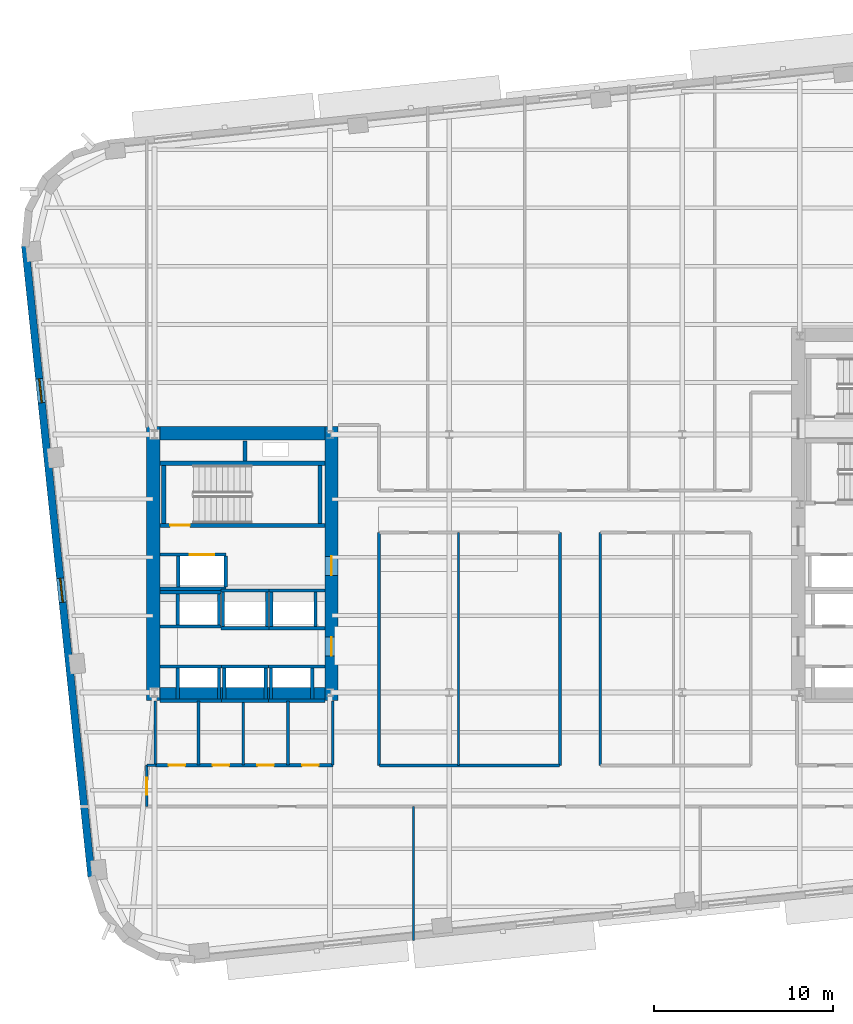
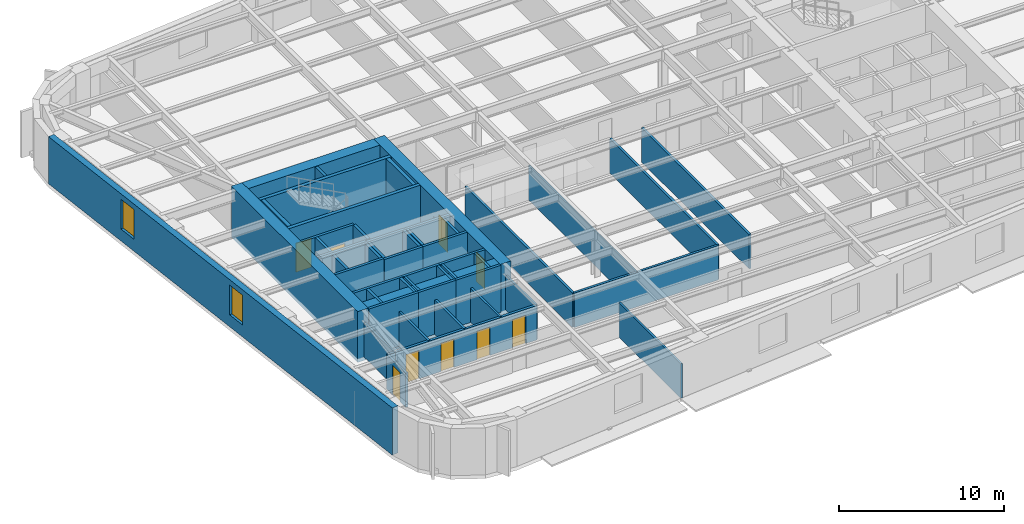
# One storey, part 4 of 15: 52 walls, 9 doors, 2 windows, 11 openings.
"""IFC4 building model written with IfcOpenShell, lengths in metres."""

from ifc_helpers import new_model, si_unit, direction, frame, frame_2d, origin, place, context, subcontext, project, spatial, rectangle, extrude, material, layer, layer_set, type_object, element, fill, save


model = new_model("IFC4")

# Units and contexts
model_context = context("Model", 3, precision=1e-05, world=origin(), true_north=direction((0.0, 1.0)))
body_context = subcontext(model_context, "Body", "Model", "MODEL_VIEW")
ifc_project = project(units=[si_unit("LENGTHUNIT", "METRE"), si_unit("AREAUNIT", "SQUARE_METRE"), si_unit("VOLUMEUNIT", "CUBIC_METRE"), si_unit("PLANEANGLEUNIT", "RADIAN"), si_unit("MASSUNIT", "GRAM", prefix="KILO")], contexts=[model_context])

# Site, building, storey
site_placement = place(None, origin())
site = spatial("IfcSite", under=ifc_project, at=site_placement, CompositionType="ELEMENT")
building_placement = place(site_placement, origin())
building = spatial("IfcBuilding", under=site, at=building_placement, Name="Kolvaren Arena Tower", CompositionType="ELEMENT")
storey_placement = place(building_placement, frame((0.0, 0.0, 107.199951171875)))
storey = spatial("IfcBuildingStorey", under=building, at=storey_placement, Name="L24", CompositionType="ELEMENT", Elevation=107.199951171875)

# Walls
ifc_material_1 = material(Name="Gypsum board acoustic assembly", Category="gypsum")
ifc_layer_1 = layer(ifc_material_1, 0.159912109375)
ifc_layer_set_1 = layer_set([ifc_layer_1], Name="Gypsum board acoustic assembly")
wall_type_1 = type_object("IfcWallType", Name="CORR-160", PredefinedType="PARTITIONING", material=ifc_layer_set_1)
wall_1_placement = place(storey_placement, frame((27.10009765625, 15.3798828125, 0.0), z_axis=(0.0, 0.0, 1.0), x_axis=(1.0, 0.0, 0.0)))
element("IfcWall", 1, at=wall_1_placement, inside=storey, type_object=wall_type_1, Name="Interior Partition Wall (L24)", PredefinedType="PARTITIONING", context=body_context, shape_type="SweptSolid", body=[
    extrude(rectangle(XDim=10.059814453125, YDim=0.159912109375, at=frame_2d((5.02978515625, 0.0))), origin(), (0.0, 0.0, 1.0), 2.5400390625),
])
for number, where, z_axis, x_axis, name in (
    (2, (37.179931640625, 15.3798828125, 0.0), (0.0, 0.0, 1.0), (0.0, 1.0, 0.0), "Interior Partition Wall (L24)"),
    (3, (39.419921875, 15.3798828125, 0.0), (0.0, 0.0, 1.0), (0.0, 1.0, 0.0), "Interior Partition Wall (L24)"),
    (4, (27.080078125, 15.3798828125, 0.0), (0.0, 0.0, 1.0), (0.0, 1.0, 0.0), "Interior Partition Wall (L24)"),
):
    element("IfcWall", number, at=place(storey_placement, frame(where, z_axis=z_axis, x_axis=x_axis)), inside=storey, type_object=wall_type_1, Name=name, PredefinedType="PARTITIONING", context=body_context, shape_type="SweptSolid", body=[
        extrude(rectangle(XDim=13.0, YDim=0.159912109375, at=frame_2d((6.5, 0.0))), origin(), (0.0, 0.0, 1.0), 2.5400390625),
    ])

# Wall, opening, door
wall_2_placement = place(storey_placement, frame((14.1201171875, 13.10009765625, 0.0), z_axis=(0.0, 0.0, 1.0), x_axis=(0.0, 1.0, 0.0)))
wall_2 = element("IfcWall", 5, at=wall_2_placement, inside=storey, type_object=wall_type_1, Name="Interior Partition Wall (L24)", PredefinedType="PARTITIONING", context=body_context, shape_type="SweptSolid", body=[
    extrude(rectangle(XDim=2.2998046875, YDim=0.159912109375, at=frame_2d((1.14990234375, 0.0))), origin(), (0.0, 0.0, 1.0), 2.5400390625),
])
opening_1_placement = place(wall_2_placement, frame((0.64990234375, 0.0, 0.0)))
opening_1 = element("IfcOpeningElement", 6, at=opening_1_placement, cuts=wall_2, Name="Opening D05", PredefinedType="OPENING", context=body_context, shape_type="SweptSolid", body=[
    extrude(rectangle(XDim=0.949951171875, YDim=2.14990234375, at=frame_2d((0.47509765625, 1.074951171875))), frame((0.0, 0.08984375, 0.0), z_axis=(0.0, -1.0, 0.0), x_axis=(1.0, 0.0, 0.0)), (0.0, 0.0, 1.0), 0.179931640625),
])
ifc_material_2 = material(Name="Solid-core oak acoustic office door", Category="wood")
door_type_1 = type_object("IfcDoorType", Name="DOOR-OF-095", OperationType="NOTDEFINED", PredefinedType="DOOR", material=ifc_material_2)
door_1_placement = place(opening_1_placement, origin())
door_1 = element("IfcDoor", 7, at=door_1_placement, inside=storey, type_object=door_type_1, Name="West Wing Office Door (L24)", OperationType="SINGLE_SWING_LEFT", OverallHeight=2.14990234375, OverallWidth=0.949951171875, PredefinedType="DOOR", context=body_context, shape_type="SweptSolid", body=[
    extrude(rectangle(XDim=0.949951171875, YDim=2.14990234375, at=frame_2d((0.47509765625, 1.074951171875))), frame((0.0, 0.02490234375, 0.0), z_axis=(0.0, -1.0, 0.0), x_axis=(1.0, 0.0, 0.0)), (0.0, 0.0, 1.0), 0.050048828125),
])
fill(opening_1, door_1)

# Walls
wall_3_placement = place(storey_placement, frame((14.1201171875, 15.39990234375, 0.0), z_axis=(0.0, 0.0, 1.0), x_axis=(1.0, 0.0, 0.0)))
element("IfcWall", 8, at=wall_3_placement, inside=storey, type_object=wall_type_1, Name="Interior Partition Wall (L24)", PredefinedType="PARTITIONING", context=body_context, shape_type="SweptSolid", body=[
    extrude(rectangle(XDim=0.5, YDim=0.159912109375, at=frame_2d((0.25, 0.0))), origin(), (0.0, 0.0, 1.0), 2.5400390625),
])
ifc_material_3 = material(Name="Concrete 70 MPa", Category="concrete")
ifc_layer_2 = layer(ifc_material_3, 0.75)
ifc_layer_set_2 = layer_set([ifc_layer_2], Name="Concrete 70 MPa")
wall_type_2 = type_object("IfcWallType", Name="CWALL-750", PredefinedType="SHEAR", material=ifc_layer_set_2)
wall_4_placement = place(storey_placement, frame((14.47509765625, 19.0, -0.27001953125), z_axis=(0.0, 0.0, 1.0), x_axis=(0.0, 1.0, 0.0)))
element("IfcWall", 9, at=wall_4_placement, inside=storey, type_object=wall_type_2, Name="Core Shear Wall WC-WEST (L24)", PredefinedType="SHEAR", context=body_context, shape_type="SweptSolid", body=[
    extrude(rectangle(XDim=15.300048828125, YDim=0.75, at=frame_2d((7.64990234375, 0.0))), origin(), (0.0, 0.0, 1.0), 3.75),
])

# Wall, openings, doors
wall_5_placement = place(storey_placement, frame((24.425048828125, 19.0, -0.27001953125), z_axis=(0.0, 0.0, 1.0), x_axis=(0.0, 1.0, 0.0)))
wall_5 = element("IfcWall", 10, at=wall_5_placement, inside=storey, type_object=wall_type_2, Name="Core Shear Wall WC-EAST (L24)", PredefinedType="SHEAR", context=body_context, shape_type="SweptSolid", body=[
    extrude(rectangle(XDim=15.300048828125, YDim=0.75, at=frame_2d((7.64990234375, 0.0))), origin(), (0.0, 0.0, 1.0), 3.75),
])
opening_2_placement = place(wall_5_placement, frame((2.5, 0.0, 0.27001953125)))
opening_2 = element("IfcOpeningElement", 11, at=opening_2_placement, cuts=wall_5, Name="Opening D04", PredefinedType="OPENING", context=body_context, shape_type="SweptSolid", body=[
    extrude(rectangle(XDim=1.050048828125, YDim=2.14990234375, at=frame_2d((0.52490234375, 1.074951171875))), frame((0.0, 0.385009765625, 0.0), z_axis=(0.0, -1.0, 0.0), x_axis=(1.0, 0.0, 0.0)), (0.0, 0.0, 1.0), 0.77001953125),
])
opening_3_placement = place(wall_5_placement, frame((7.0, 0.0, 0.27001953125)))
opening_3 = element("IfcOpeningElement", 12, at=opening_3_placement, cuts=wall_5, Name="Opening D04", PredefinedType="OPENING", context=body_context, shape_type="SweptSolid", body=[
    extrude(rectangle(XDim=1.050048828125, YDim=2.14990234375, at=frame_2d((0.52490234375, 1.074951171875))), frame((0.0, 0.385009765625, 0.0), z_axis=(0.0, -1.0, 0.0), x_axis=(1.0, 0.0, 0.0)), (0.0, 0.0, 1.0), 0.77001953125),
])
ifc_material_4 = material(Name="Fire-rated steel lobby door", Category="steel")
door_type_2 = type_object("IfcDoorType", Name="DOOR-FF-105", OperationType="NOTDEFINED", PredefinedType="DOOR", material=ifc_material_4)
door_2_placement = place(opening_2_placement, origin())
door_2 = element("IfcDoor", 13, at=door_2_placement, inside=storey, type_object=door_type_2, Name="West Lift Lobby Fire Door (L24)", OperationType="SINGLE_SWING_LEFT", OverallHeight=2.14990234375, OverallWidth=1.050048828125, PredefinedType="DOOR", context=body_context, shape_type="SweptSolid", body=[
    extrude(rectangle(XDim=1.050048828125, YDim=2.14990234375, at=frame_2d((0.52490234375, 1.074951171875))), frame((0.0, 0.02490234375, 0.0), z_axis=(0.0, -1.0, 0.0), x_axis=(1.0, 0.0, 0.0)), (0.0, 0.0, 1.0), 0.050048828125),
])
fill(opening_2, door_2)
door_3_placement = place(opening_3_placement, origin())
door_3 = element("IfcDoor", 14, at=door_3_placement, inside=storey, type_object=door_type_2, Name="West Firefighter Vestibule Door (L24)", OperationType="SINGLE_SWING_RIGHT", OverallHeight=2.14990234375, OverallWidth=1.050048828125, PredefinedType="DOOR", context=body_context, shape_type="SweptSolid", body=[
    extrude(rectangle(XDim=1.050048828125, YDim=2.14990234375, at=frame_2d((0.52490234375, 1.074951171875))), frame((0.0, 0.02490234375, 0.0), z_axis=(0.0, -1.0, 0.0), x_axis=(1.0, 0.0, 0.0)), (0.0, 0.0, 1.0), 0.050048828125),
])
fill(opening_3, door_3)

# Walls
for number, where, z_axis, x_axis, name in (
    (15, (14.85009765625, 19.375, -0.27001953125), (0.0, 0.0, 1.0), (1.0, 0.0, 0.0), "Core Shear Wall WC-SOUTH (L24)"),
    (16, (14.85009765625, 33.925048828125, -0.27001953125), (0.0, 0.0, 1.0), (1.0, 0.0, 0.0), "Core Shear Wall WC-NORTH (L24)"),
):
    element("IfcWall", number, at=place(storey_placement, frame(where, z_axis=z_axis, x_axis=x_axis)), inside=storey, type_object=wall_type_2, Name=name, PredefinedType="SHEAR", context=body_context, shape_type="SweptSolid", body=[
        extrude(rectangle(XDim=9.199951171875, YDim=0.75, at=frame_2d((4.60009765625, 0.0))), origin(), (0.0, 0.0, 1.0), 3.75),
    ])

# Wall, openings, windows
ifc_material_5 = material(Name="Precast concrete C50/60", Category="concrete")
ifc_layer_3 = layer(ifc_material_5, 0.419921875)
ifc_layer_set_3 = layer_set([ifc_layer_3], Name="Precast concrete C50/60")
wall_type_3 = type_object("IfcWallType", Name="EXT-PIER1", PredefinedType="SOLIDWALL", material=ifc_layer_set_3)
wall_6_placement = place(storey_placement, frame((11.039794921875, 9.16943359375, 0.0), z_axis=(0.0, 0.0, 1.0), x_axis=(-0.104532207177, 0.99452150186, 0.0)))
wall_6 = element("IfcWall", 17, at=wall_6_placement, inside=storey, type_object=wall_type_3, Name="Exterior Precast Masonry-Frame Wall (L24)", PredefinedType="SOLIDWALL", context=body_context, shape_type="SweptSolid", body=[
    extrude(rectangle(XDim=35.39990234375, YDim=0.419921875, at=frame_2d((17.699951171875, 0.0))), origin(), (0.0, 0.0, 1.0), 3.47998046875),
])
opening_4_placement = place(wall_6_placement, frame((15.39990234375, 0.0, 0.8798828125)))
opening_4 = element("IfcOpeningElement", 18, at=opening_4_placement, cuts=wall_6, Name="Opening W04", PredefinedType="OPENING", context=body_context, shape_type="SweptSolid", body=[
    extrude(rectangle(XDim=1.35009765625, YDim=2.199951171875, at=frame_2d((0.675048828125, 1.10009765625))), frame((0.0, 0.219970703125, 0.0), z_axis=(0.0, -1.0, 0.0), x_axis=(1.0, 0.0, 0.0)), (0.0, 0.0, 1.0), 0.43994140625),
])
opening_5_placement = place(wall_6_placement, frame((26.60009765625, 0.0, 0.8798828125)))
opening_5 = element("IfcOpeningElement", 19, at=opening_5_placement, cuts=wall_6, Name="Opening W04", PredefinedType="OPENING", context=body_context, shape_type="SweptSolid", body=[
    extrude(rectangle(XDim=1.35009765625, YDim=2.199951171875, at=frame_2d((0.675048828125, 1.10009765625))), frame((0.0, 0.219970703125, 0.0), z_axis=(0.0, -1.0, 0.0), x_axis=(1.0, 0.0, 0.0)), (0.0, 0.0, 1.0), 0.43994140625),
])
ifc_material_6 = material(Name="Triple-glazed curved-facet corner window", Category="glass")
window_type = type_object("IfcWindowType", Name="WIN-CRN-A", PartitioningType="SINGLE_PANEL", PredefinedType="WINDOW", material=ifc_material_6)
window_1_placement = place(opening_4_placement, origin())
window_1 = element("IfcWindow", 20, at=window_1_placement, inside=storey, type_object=window_type, Name="End-Wall Punched Window (L24)", OverallHeight=2.199951171875, OverallWidth=1.35009765625, PartitioningType="SINGLE_PANEL", PredefinedType="WINDOW", context=body_context, shape_type="SweptSolid", body=[
    extrude(rectangle(XDim=1.35009765625, YDim=2.199951171875, at=frame_2d((0.675048828125, 1.10009765625))), frame((0.0, 0.030029296875, 0.0), z_axis=(0.0, -1.0, 0.0), x_axis=(1.0, 0.0, 0.0)), (0.0, 0.0, 1.0), 0.06005859375),
])
fill(opening_4, window_1)
window_2_placement = place(opening_5_placement, origin())
window_2 = element("IfcWindow", 21, at=window_2_placement, inside=storey, type_object=window_type, Name="End-Wall Punched Window (L24)", OverallHeight=2.199951171875, OverallWidth=1.35009765625, PartitioningType="SINGLE_PANEL", PredefinedType="WINDOW", context=body_context, shape_type="SweptSolid", body=[
    extrude(rectangle(XDim=1.35009765625, YDim=2.199951171875, at=frame_2d((0.675048828125, 1.10009765625))), frame((0.0, 0.030029296875, 0.0), z_axis=(0.0, -1.0, 0.0), x_axis=(1.0, 0.0, 0.0)), (0.0, 0.0, 1.0), 0.06005859375),
])
fill(opening_5, window_2)

# Walls
ifc_material_7 = material(Name="Gypsum board partition assembly", Category="gypsum")
ifc_layer_4 = layer(ifc_material_7, 0.114990234375)
ifc_layer_set_4 = layer_set([ifc_layer_4], Name="Gypsum board partition assembly")
wall_type_4 = type_object("IfcWallType", Name="PART-115", PredefinedType="PARTITIONING", material=ifc_layer_set_4)
wall_7_placement = place(storey_placement, frame((31.5, 15.3798828125, 0.0), z_axis=(0.0, 0.0, 1.0), x_axis=(0.0, 1.0, 0.0)))
element("IfcWall", 22, at=wall_7_placement, inside=storey, type_object=wall_type_4, Name="Interior Partition Wall (L24)", PredefinedType="PARTITIONING", context=body_context, shape_type="SweptSolid", body=[
    extrude(rectangle(XDim=13.0, YDim=0.114990234375, at=frame_2d((6.5, 0.0))), origin(), (0.0, 0.0, 1.0), 2.5400390625),
])
ifc_layer_5 = layer(ifc_material_7, 0.135009765625)
ifc_layer_set_5 = layer_set([ifc_layer_5], Name="Gypsum board partition assembly")
wall_type_5 = type_object("IfcWallType", Name="PART-135", PredefinedType="PARTITIONING", material=ifc_layer_set_5)
wall_8_placement = place(storey_placement, frame((29.0, 5.62744140625, 0.0), z_axis=(0.0, 0.0, 1.0), x_axis=(0.0, 1.0, 0.0)))
element("IfcWall", 23, at=wall_8_placement, inside=storey, type_object=wall_type_5, Name="Interior Partition Wall (L24)", PredefinedType="PARTITIONING", context=body_context, shape_type="SweptSolid", body=[
    extrude(rectangle(XDim=7.47265625, YDim=0.135009765625, at=frame_2d((3.736328125, 0.0))), origin(), (0.0, 0.0, 1.0), 2.5400390625),
])

# Wall, opening, door
ifc_material_8 = material(Name="Concrete 45 MPa", Category="concrete")
ifc_layer_6 = layer(ifc_material_8, 0.25)
ifc_layer_set_6 = layer_set([ifc_layer_6], Name="Concrete 45 MPa")
wall_type_6 = type_object("IfcWallType", Name="SHAFT-250", PredefinedType="SOLIDWALL", material=ifc_layer_set_6)
wall_9_placement = place(storey_placement, frame((24.050048828125, 28.780029296875, 0.0), z_axis=(0.0, 0.0, 1.0), x_axis=(-1.0, 0.0, 0.0)))
wall_9 = element("IfcWall", 24, at=wall_9_placement, inside=storey, type_object=wall_type_6, Name="Core Shaft Wall (L24)", PredefinedType="SOLIDWALL", context=body_context, shape_type="SweptSolid", body=[
    extrude(rectangle(XDim=9.199951171875, YDim=0.239990234375, at=frame_2d((4.60009765625, 0.0))), origin(), (0.0, 0.0, 1.0), 3.47998046875),
])
opening_6_placement = place(wall_9_placement, frame((7.530029296875, 0.0, 0.0)))
opening_6 = element("IfcOpeningElement", 25, at=opening_6_placement, cuts=wall_9, Name="Opening D03", PredefinedType="OPENING", context=body_context, shape_type="SweptSolid", body=[
    extrude(rectangle(XDim=1.10009765625, YDim=2.14990234375, at=frame_2d((0.550048828125, 1.074951171875))), frame((0.0, 0.1298828125, 0.0), z_axis=(0.0, -1.0, 0.0), x_axis=(1.0, 0.0, 0.0)), (0.0, 0.0, 1.0), 0.260009765625),
])
ifc_material_9 = material(Name="Fire-rated steel exit stair door", Category="steel")
door_type_3 = type_object("IfcDoorType", Name="DOOR-ST-110", OperationType="NOTDEFINED", PredefinedType="DOOR", material=ifc_material_9)
door_4_placement = place(opening_6_placement, origin())
door_4 = element("IfcDoor", 26, at=door_4_placement, inside=storey, type_object=door_type_3, Name="Stair ST-W1 Fire Door (L24)", OperationType="SINGLE_SWING_RIGHT", OverallHeight=2.14990234375, OverallWidth=1.10009765625, PredefinedType="DOOR", context=body_context, shape_type="SweptSolid", body=[
    extrude(rectangle(XDim=1.10009765625, YDim=2.14990234375, at=frame_2d((0.550048828125, 1.074951171875))), frame((0.0, 0.02490234375, 0.0), z_axis=(0.0, -1.0, 0.0), x_axis=(1.0, 0.0, 0.0)), (0.0, 0.0, 1.0), 0.050048828125),
])
fill(opening_6, door_4)

# Walls
wall_10_placement = place(storey_placement, frame((14.85009765625, 32.25, 0.0), z_axis=(0.0, 0.0, 1.0), x_axis=(1.0, 0.0, 0.0)))
element("IfcWall", 27, at=wall_10_placement, inside=storey, type_object=wall_type_6, Name="Core Shaft Wall (L24)", PredefinedType="SOLIDWALL", context=body_context, shape_type="SweptSolid", body=[
    extrude(rectangle(XDim=9.199951171875, YDim=0.239990234375, at=frame_2d((4.60009765625, 0.0))), origin(), (0.0, 0.0, 1.0), 3.47998046875),
])
for number, where, z_axis, x_axis, name in (
    (28, (15.06005859375, 28.89990234375, 0.0), (0.0, 0.0, 1.0), (0.0, 1.0, 0.0), "Core Shaft Wall (L24)"),
    (29, (23.780029296875, 28.89990234375, 0.0), (0.0, 0.0, 1.0), (0.0, 1.0, 0.0), "Core Shaft Wall (L24)"),
):
    element("IfcWall", number, at=place(storey_placement, frame(where, z_axis=z_axis, x_axis=x_axis)), inside=storey, type_object=wall_type_6, Name=name, PredefinedType="SOLIDWALL", context=body_context, shape_type="SweptSolid", body=[
        extrude(rectangle(XDim=3.22998046875, YDim=0.239990234375, at=frame_2d((1.614990234375, 0.0))), origin(), (0.0, 0.0, 1.0), 3.47998046875),
    ])
wall_11_placement = place(storey_placement, frame((19.60009765625, 32.3701171875, 0.0), z_axis=(0.0, 0.0, 1.0), x_axis=(0.0, 1.0, 0.0)))
element("IfcWall", 30, at=wall_11_placement, inside=storey, type_object=wall_type_6, Name="Core Shaft Wall (L24)", PredefinedType="SOLIDWALL", context=body_context, shape_type="SweptSolid", body=[
    extrude(rectangle(XDim=1.1298828125, YDim=0.199951171875, at=frame_2d((0.56494140625, 0.0))), origin(), (0.0, 0.0, 1.0), 3.47998046875),
])
for number, where, z_axis, x_axis, name in (
    (31, (14.85009765625, 20.905029296875, 0.0), (0.0, 0.0, 1.0), (1.0, 0.0, 0.0), "Core Shaft Wall (L24)"),
    (32, (14.85009765625, 18.9951171875, 0.0), (0.0, 0.0, 1.0), (1.0, 0.0, 0.0), "Core Shaft Wall (L24)"),
):
    element("IfcWall", number, at=place(storey_placement, frame(where, z_axis=z_axis, x_axis=x_axis)), inside=storey, type_object=wall_type_6, Name=name, PredefinedType="SOLIDWALL", context=body_context, shape_type="SweptSolid", body=[
        extrude(rectangle(XDim=3.449951171875, YDim=0.179931640625, at=frame_2d((1.72509765625, 0.0))), origin(), (0.0, 0.0, 1.0), 3.47998046875),
    ])
for number, where, z_axis, x_axis, name in (
    (33, (15.844970703125, 19.0849609375, 0.0), (0.0, 0.0, 1.0), (0.0, 1.0, 0.0), "Core Shaft Wall (L24)"),
    (34, (18.155029296875, 19.0849609375, 0.0), (0.0, 0.0, 1.0), (0.0, 1.0, 0.0), "Core Shaft Wall (L24)"),
):
    element("IfcWall", number, at=place(storey_placement, frame(where, z_axis=z_axis, x_axis=x_axis)), inside=storey, type_object=wall_type_6, Name=name, PredefinedType="SOLIDWALL", context=body_context, shape_type="SweptSolid", body=[
        extrude(rectangle(XDim=1.72998046875, YDim=0.179931640625, at=frame_2d((0.864990234375, 0.0))), origin(), (0.0, 0.0, 1.0), 3.47998046875),
    ])
for number, where, z_axis, x_axis, name in (
    (35, (18.300048828125, 20.905029296875, 0.0), (0.0, 0.0, 1.0), (1.0, 0.0, 0.0), "Core Shaft Wall (L24)"),
    (36, (18.300048828125, 18.9951171875, 0.0), (0.0, 0.0, 1.0), (1.0, 0.0, 0.0), "Core Shaft Wall (L24)"),
):
    element("IfcWall", number, at=place(storey_placement, frame(where, z_axis=z_axis, x_axis=x_axis)), inside=storey, type_object=wall_type_6, Name=name, PredefinedType="SOLIDWALL", context=body_context, shape_type="SweptSolid", body=[
        extrude(rectangle(XDim=2.599853515625, YDim=0.179931640625, at=frame_2d((1.2998046875, 0.0))), origin(), (0.0, 0.0, 1.0), 3.47998046875),
    ])
for number, where, z_axis, x_axis, name in (
    (37, (18.445068359375, 19.0849609375, 0.0), (0.0, 0.0, 1.0), (0.0, 1.0, 0.0), "Core Shaft Wall (L24)"),
    (38, (20.7548828125, 19.0849609375, 0.0), (0.0, 0.0, 1.0), (0.0, 1.0, 0.0), "Core Shaft Wall (L24)"),
):
    element("IfcWall", number, at=place(storey_placement, frame(where, z_axis=z_axis, x_axis=x_axis)), inside=storey, type_object=wall_type_6, Name=name, PredefinedType="SOLIDWALL", context=body_context, shape_type="SweptSolid", body=[
        extrude(rectangle(XDim=1.72998046875, YDim=0.179931640625, at=frame_2d((0.864990234375, 0.0))), origin(), (0.0, 0.0, 1.0), 3.47998046875),
    ])
for number, where, z_axis, x_axis, name in (
    (39, (20.89990234375, 20.905029296875, 0.0), (0.0, 0.0, 1.0), (1.0, 0.0, 0.0), "Core Shaft Wall (L24)"),
    (40, (20.89990234375, 18.9951171875, 0.0), (0.0, 0.0, 1.0), (1.0, 0.0, 0.0), "Core Shaft Wall (L24)"),
):
    element("IfcWall", number, at=place(storey_placement, frame(where, z_axis=z_axis, x_axis=x_axis)), inside=storey, type_object=wall_type_6, Name=name, PredefinedType="SOLIDWALL", context=body_context, shape_type="SweptSolid", body=[
        extrude(rectangle(XDim=3.150146484375, YDim=0.179931640625, at=frame_2d((1.5751953125, 0.0))), origin(), (0.0, 0.0, 1.0), 3.47998046875),
    ])
for number, where, z_axis, x_axis, name in (
    (41, (21.044921875, 19.0849609375, 0.0), (0.0, 0.0, 1.0), (0.0, 1.0, 0.0), "Core Shaft Wall (L24)"),
    (42, (23.35498046875, 19.0849609375, 0.0), (0.0, 0.0, 1.0), (0.0, 1.0, 0.0), "Core Shaft Wall (L24)"),
):
    element("IfcWall", number, at=place(storey_placement, frame(where, z_axis=z_axis, x_axis=x_axis)), inside=storey, type_object=wall_type_6, Name=name, PredefinedType="SOLIDWALL", context=body_context, shape_type="SweptSolid", body=[
        extrude(rectangle(XDim=1.72998046875, YDim=0.179931640625, at=frame_2d((0.864990234375, 0.0))), origin(), (0.0, 0.0, 1.0), 3.47998046875),
    ])
for number, where, z_axis, x_axis, name in (
    (43, (14.85009765625, 25.054931640625, 0.0), (0.0, 0.0, 1.0), (1.0, 0.0, 0.0), "Core Shaft Wall (L24)"),
    (44, (14.85009765625, 23.14501953125, 0.0), (0.0, 0.0, 1.0), (1.0, 0.0, 0.0), "Core Shaft Wall (L24)"),
):
    element("IfcWall", number, at=place(storey_placement, frame(where, z_axis=z_axis, x_axis=x_axis)), inside=storey, type_object=wall_type_6, Name=name, PredefinedType="SOLIDWALL", context=body_context, shape_type="SweptSolid", body=[
        extrude(rectangle(XDim=3.412353515625, YDim=0.179931640625, at=frame_2d((1.7060546875, 0.0))), origin(), (0.0, 0.0, 1.0), 3.47998046875),
    ])
for number, where, z_axis, x_axis, name in (
    (45, (15.844970703125, 23.235107421875, 0.0), (0.0, 0.0, 1.0), (0.0, 1.0, 0.0), "Core Shaft Wall (L24)"),
    (46, (18.155029296875, 23.235107421875, 0.0), (0.0, 0.0, 1.0), (0.0, 1.0, 0.0), "Core Shaft Wall (L24)"),
):
    element("IfcWall", number, at=place(storey_placement, frame(where, z_axis=z_axis, x_axis=x_axis)), inside=storey, type_object=wall_type_6, Name=name, PredefinedType="SOLIDWALL", context=body_context, shape_type="SweptSolid", body=[
        extrude(rectangle(XDim=1.72998046875, YDim=0.179931640625, at=frame_2d((0.864990234375, 0.0))), origin(), (0.0, 0.0, 1.0), 3.47998046875),
    ])
for number, where, z_axis, x_axis, name in (
    (47, (18.262451171875, 25.155029296875, 0.0), (0.0, 0.0, 1.0), (1.0, 0.0, 0.0), "Core Shaft Wall (L24)"),
    (48, (18.262451171875, 23.044921875, 0.0), (0.0, 0.0, 1.0), (1.0, 0.0, 0.0), "Core Shaft Wall (L24)"),
):
    element("IfcWall", number, at=place(storey_placement, frame(where, z_axis=z_axis, x_axis=x_axis)), inside=storey, type_object=wall_type_6, Name=name, PredefinedType="SOLIDWALL", context=body_context, shape_type="SweptSolid", body=[
        extrude(rectangle(XDim=2.6875, YDim=0.179931640625, at=frame_2d((1.34375, 0.0))), origin(), (0.0, 0.0, 1.0), 3.47998046875),
    ])
for number, where, z_axis, x_axis, name in (
    (49, (18.3701171875, 23.135009765625, 0.0), (0.0, 0.0, 1.0), (0.0, 1.0, 0.0), "Core Shaft Wall (L24)"),
    (50, (20.830078125, 23.135009765625, 0.0), (0.0, 0.0, 1.0), (0.0, 1.0, 0.0), "Core Shaft Wall (L24)"),
):
    element("IfcWall", number, at=place(storey_placement, frame(where, z_axis=z_axis, x_axis=x_axis)), inside=storey, type_object=wall_type_6, Name=name, PredefinedType="SOLIDWALL", context=body_context, shape_type="SweptSolid", body=[
        extrude(rectangle(XDim=1.929931640625, YDim=0.179931640625, at=frame_2d((0.96484375, 0.0))), origin(), (0.0, 0.0, 1.0), 3.47998046875),
    ])
for number, where, z_axis, x_axis, name in (
    (51, (20.949951171875, 25.155029296875, 0.0), (0.0, 0.0, 1.0), (1.0, 0.0, 0.0), "Core Shaft Wall (L24)"),
    (52, (20.949951171875, 23.044921875, 0.0), (0.0, 0.0, 1.0), (1.0, 0.0, 0.0), "Core Shaft Wall (L24)"),
):
    element("IfcWall", number, at=place(storey_placement, frame(where, z_axis=z_axis, x_axis=x_axis)), inside=storey, type_object=wall_type_6, Name=name, PredefinedType="SOLIDWALL", context=body_context, shape_type="SweptSolid", body=[
        extrude(rectangle(XDim=3.10009765625, YDim=0.179931640625, at=frame_2d((1.550048828125, 0.0))), origin(), (0.0, 0.0, 1.0), 3.47998046875),
    ])
for number, where, z_axis, x_axis, name in (
    (53, (21.070068359375, 23.135009765625, 0.0), (0.0, 0.0, 1.0), (0.0, 1.0, 0.0), "Core Shaft Wall (L24)"),
    (54, (23.530029296875, 23.135009765625, 0.0), (0.0, 0.0, 1.0), (0.0, 1.0, 0.0), "Core Shaft Wall (L24)"),
):
    element("IfcWall", number, at=place(storey_placement, frame(where, z_axis=z_axis, x_axis=x_axis)), inside=storey, type_object=wall_type_6, Name=name, PredefinedType="SOLIDWALL", context=body_context, shape_type="SweptSolid", body=[
        extrude(rectangle(XDim=1.929931640625, YDim=0.179931640625, at=frame_2d((0.96484375, 0.0))), origin(), (0.0, 0.0, 1.0), 3.47998046875),
    ])

# Wall, opening, door
wall_12_placement = place(storey_placement, frame((14.85009765625, 27.155029296875, 0.0), z_axis=(0.0, 0.0, 1.0), x_axis=(1.0, 0.0, 0.0)))
wall_12 = element("IfcWall", 55, at=wall_12_placement, inside=storey, type_object=wall_type_6, Name="Core Shaft Wall (L24)", PredefinedType="SOLIDWALL", context=body_context, shape_type="SweptSolid", body=[
    extrude(rectangle(XDim=3.679931640625, YDim=0.179931640625, at=frame_2d((1.83984375, 0.0))), origin(), (0.0, 0.0, 1.0), 3.47998046875),
])
opening_7_placement = place(wall_12_placement, frame((1.675048828125, 0.0, 0.0)))
opening_7 = element("IfcOpeningElement", 56, at=opening_7_placement, cuts=wall_12, Name="Opening LD2", PredefinedType="OPENING", context=body_context, shape_type="SweptSolid", body=[
    extrude(rectangle(XDim=1.35009765625, YDim=2.300048828125, at=frame_2d((0.675048828125, 1.14990234375))), frame((0.0, 0.099853515625, 0.0), z_axis=(0.0, -1.0, 0.0), x_axis=(1.0, 0.0, 0.0)), (0.0, 0.0, 1.0), 0.199951171875),
])
ifc_material_10 = material(Name="Stainless steel firefighter lift landing door", Category="steel")
door_type_4 = type_object("IfcDoorType", Name="DOOR-LD-135", OperationType="DOUBLE_DOOR_SLIDING", PredefinedType="DOOR", material=ifc_material_10)
door_5_placement = place(opening_7_placement, origin())
door_5 = element("IfcDoor", 57, at=door_5_placement, inside=storey, type_object=door_type_4, Name="Firefighter Lift FF-W1 Landing Door (L24)", OperationType="DOUBLE_DOOR_SLIDING", OverallHeight=2.300048828125, OverallWidth=1.35009765625, PredefinedType="DOOR", context=body_context, shape_type="SweptSolid", body=[
    extrude(rectangle(XDim=1.35009765625, YDim=2.300048828125, at=frame_2d((0.675048828125, 1.14990234375))), frame((0.0, 0.02490234375, 0.0), z_axis=(0.0, -1.0, 0.0), x_axis=(1.0, 0.0, 0.0)), (0.0, 0.0, 1.0), 0.050048828125),
])
fill(opening_7, door_5)

# Walls
wall_13_placement = place(storey_placement, frame((14.85009765625, 25.2451171875, 0.0), z_axis=(0.0, 0.0, 1.0), x_axis=(1.0, 0.0, 0.0)))
element("IfcWall", 58, at=wall_13_placement, inside=storey, type_object=wall_type_6, Name="Core Shaft Wall (L24)", PredefinedType="SOLIDWALL", context=body_context, shape_type="SweptSolid", body=[
    extrude(rectangle(XDim=3.679931640625, YDim=0.179931640625, at=frame_2d((1.83984375, 0.0))), origin(), (0.0, 0.0, 1.0), 3.47998046875),
])
for number, where, z_axis, x_axis, name in (
    (59, (15.8701171875, 25.3349609375, 0.0), (0.0, 0.0, 1.0), (0.0, 1.0, 0.0), "Core Shaft Wall (L24)"),
    (60, (18.530029296875, 25.3349609375, 0.0), (0.0, 0.0, 1.0), (0.0, 1.0, 0.0), "Core Shaft Wall (L24)"),
):
    element("IfcWall", number, at=place(storey_placement, frame(where, z_axis=z_axis, x_axis=x_axis)), inside=storey, type_object=wall_type_6, Name=name, PredefinedType="SOLIDWALL", context=body_context, shape_type="SweptSolid", body=[
        extrude(rectangle(XDim=1.72998046875, YDim=0.179931640625, at=frame_2d((0.864990234375, 0.0))), origin(), (0.0, 0.0, 1.0), 3.47998046875),
    ])
ifc_material_11 = material(Name="Moisture-resistant gypsum assembly", Category="gypsum")
ifc_layer_7 = layer(ifc_material_11, 0.14990234375)
ifc_layer_set_7 = layer_set([ifc_layer_7], Name="Moisture-resistant gypsum assembly")
wall_type_7 = type_object("IfcWallType", Name="WETW-150", PredefinedType="PARTITIONING", material=ifc_layer_set_7)
for number, where, z_axis, x_axis, name in (
    (61, (17.0, 15.39990234375, 0.0), (0.0, 0.0, 1.0), (0.0, 1.0, 0.0), "Interior Partition Wall (L24)"),
    (62, (19.5, 15.39990234375, 0.0), (0.0, 0.0, 1.0), (0.0, 1.0, 0.0), "Interior Partition Wall (L24)"),
    (63, (22.0, 15.39990234375, 0.0), (0.0, 0.0, 1.0), (0.0, 1.0, 0.0), "Interior Partition Wall (L24)"),
):
    element("IfcWall", number, at=place(storey_placement, frame(where, z_axis=z_axis, x_axis=x_axis)), inside=storey, type_object=wall_type_7, Name=name, PredefinedType="PARTITIONING", context=body_context, shape_type="SweptSolid", body=[
        extrude(rectangle(XDim=3.580078125, YDim=0.14990234375, at=frame_2d((1.7900390625, 0.0))), origin(), (0.0, 0.0, 1.0), 2.5400390625),
    ])

# Wall, openings, doors
wall_14_placement = place(storey_placement, frame((14.60009765625, 15.39990234375, 0.0), z_axis=(0.0, 0.0, 1.0), x_axis=(1.0, 0.0, 0.0)))
wall_14 = element("IfcWall", 64, at=wall_14_placement, inside=storey, type_object=wall_type_7, Name="Interior Partition Wall (L24)", PredefinedType="PARTITIONING", context=body_context, shape_type="SweptSolid", body=[
    extrude(rectangle(XDim=9.89990234375, YDim=0.179931640625, at=frame_2d((4.949951171875, 0.0))), origin(), (0.0, 0.0, 1.0), 2.5400390625),
])
opening_8_placement = place(wall_14_placement, frame((0.739990234375, 0.0, 0.0)))
opening_8 = element("IfcOpeningElement", 65, at=opening_8_placement, cuts=wall_14, Name="Opening D07", PredefinedType="OPENING", context=body_context, shape_type="SweptSolid", body=[
    extrude(rectangle(XDim=0.919921875, YDim=2.10009765625, at=frame_2d((0.4599609375, 1.050048828125))), frame((0.0, 0.099853515625, 0.0), z_axis=(0.0, -1.0, 0.0), x_axis=(1.0, 0.0, 0.0)), (0.0, 0.0, 1.0), 0.199951171875),
])
opening_9_placement = place(wall_14_placement, frame((3.18994140625, 0.0, 0.0)))
opening_9 = element("IfcOpeningElement", 66, at=opening_9_placement, cuts=wall_14, Name="Opening D07", PredefinedType="OPENING", context=body_context, shape_type="SweptSolid", body=[
    extrude(rectangle(XDim=0.919921875, YDim=2.10009765625, at=frame_2d((0.4599609375, 1.050048828125))), frame((0.0, 0.099853515625, 0.0), z_axis=(0.0, -1.0, 0.0), x_axis=(1.0, 0.0, 0.0)), (0.0, 0.0, 1.0), 0.199951171875),
])
opening_10_placement = place(wall_14_placement, frame((5.68994140625, 0.0, 0.0)))
opening_10 = element("IfcOpeningElement", 67, at=opening_10_placement, cuts=wall_14, Name="Opening D07", PredefinedType="OPENING", context=body_context, shape_type="SweptSolid", body=[
    extrude(rectangle(XDim=0.919921875, YDim=2.10009765625, at=frame_2d((0.4599609375, 1.050048828125))), frame((0.0, 0.099853515625, 0.0), z_axis=(0.0, -1.0, 0.0), x_axis=(1.0, 0.0, 0.0)), (0.0, 0.0, 1.0), 0.199951171875),
])
opening_11_placement = place(wall_14_placement, frame((8.18994140625, 0.0, 0.0)))
opening_11 = element("IfcOpeningElement", 68, at=opening_11_placement, cuts=wall_14, Name="Opening D07", PredefinedType="OPENING", context=body_context, shape_type="SweptSolid", body=[
    extrude(rectangle(XDim=0.919921875, YDim=2.10009765625, at=frame_2d((0.4599609375, 1.050048828125))), frame((0.0, 0.099853515625, 0.0), z_axis=(0.0, -1.0, 0.0), x_axis=(1.0, 0.0, 0.0)), (0.0, 0.0, 1.0), 0.199951171875),
])
ifc_material_12 = material(Name="Laminate universal washroom door", Category="wood")
door_type_5 = type_object("IfcDoorType", Name="DOOR-WC-092", OperationType="NOTDEFINED", PredefinedType="DOOR", material=ifc_material_12)
door_6_placement = place(opening_8_placement, origin())
door_6 = element("IfcDoor", 69, at=door_6_placement, inside=storey, type_object=door_type_5, Name="Cleaner and Janitor Store Door (L24)", OperationType="SINGLE_SWING_RIGHT", OverallHeight=2.10009765625, OverallWidth=0.919921875, PredefinedType="DOOR", context=body_context, shape_type="SweptSolid", body=[
    extrude(rectangle(XDim=0.919921875, YDim=2.10009765625, at=frame_2d((0.4599609375, 1.050048828125))), frame((0.0, 0.02490234375, 0.0), z_axis=(0.0, -1.0, 0.0), x_axis=(1.0, 0.0, 0.0)), (0.0, 0.0, 1.0), 0.050048828125),
])
fill(opening_8, door_6)
door_7_placement = place(opening_9_placement, origin())
door_7 = element("IfcDoor", 70, at=door_7_placement, inside=storey, type_object=door_type_5, Name="Universal Barrier-Free Washroom Door (L24)", OperationType="SINGLE_SWING_LEFT", OverallHeight=2.10009765625, OverallWidth=0.919921875, PredefinedType="DOOR", context=body_context, shape_type="SweptSolid", body=[
    extrude(rectangle(XDim=0.919921875, YDim=2.10009765625, at=frame_2d((0.4599609375, 1.050048828125))), frame((0.0, 0.02490234375, 0.0), z_axis=(0.0, -1.0, 0.0), x_axis=(1.0, 0.0, 0.0)), (0.0, 0.0, 1.0), 0.050048828125),
])
fill(opening_9, door_7)
door_8_placement = place(opening_10_placement, origin())
door_8 = element("IfcDoor", 71, at=door_8_placement, inside=storey, type_object=door_type_5, Name="Women Restroom Door (L24)", OperationType="SINGLE_SWING_RIGHT", OverallHeight=2.10009765625, OverallWidth=0.919921875, PredefinedType="DOOR", context=body_context, shape_type="SweptSolid", body=[
    extrude(rectangle(XDim=0.919921875, YDim=2.10009765625, at=frame_2d((0.4599609375, 1.050048828125))), frame((0.0, 0.02490234375, 0.0), z_axis=(0.0, -1.0, 0.0), x_axis=(1.0, 0.0, 0.0)), (0.0, 0.0, 1.0), 0.050048828125),
])
fill(opening_10, door_8)
door_9_placement = place(opening_11_placement, origin())
door_9 = element("IfcDoor", 72, at=door_9_placement, inside=storey, type_object=door_type_5, Name="Men Restroom Door (L24)", OperationType="SINGLE_SWING_LEFT", OverallHeight=2.10009765625, OverallWidth=0.919921875, PredefinedType="DOOR", context=body_context, shape_type="SweptSolid", body=[
    extrude(rectangle(XDim=0.919921875, YDim=2.10009765625, at=frame_2d((0.4599609375, 1.050048828125))), frame((0.0, 0.02490234375, 0.0), z_axis=(0.0, -1.0, 0.0), x_axis=(1.0, 0.0, 0.0)), (0.0, 0.0, 1.0), 0.050048828125),
])
fill(opening_11, door_9)

# Walls
for number, where, z_axis, x_axis, name in (
    (73, (14.60009765625, 15.39990234375, 0.0), (0.0, 0.0, 1.0), (0.0, 1.0, 0.0), "Interior Partition Wall (L24)"),
    (74, (24.5, 15.39990234375, 0.0), (0.0, 0.0, 1.0), (0.0, 1.0, 0.0), "Interior Partition Wall (L24)"),
):
    element("IfcWall", number, at=place(storey_placement, frame(where, z_axis=z_axis, x_axis=x_axis)), inside=storey, type_object=wall_type_7, Name=name, PredefinedType="PARTITIONING", context=body_context, shape_type="SweptSolid", body=[
        extrude(rectangle(XDim=3.580078125, YDim=0.14990234375, at=frame_2d((1.7900390625, 0.0))), origin(), (0.0, 0.0, 1.0), 2.5400390625),
    ])

save(model, "model.ifc")
